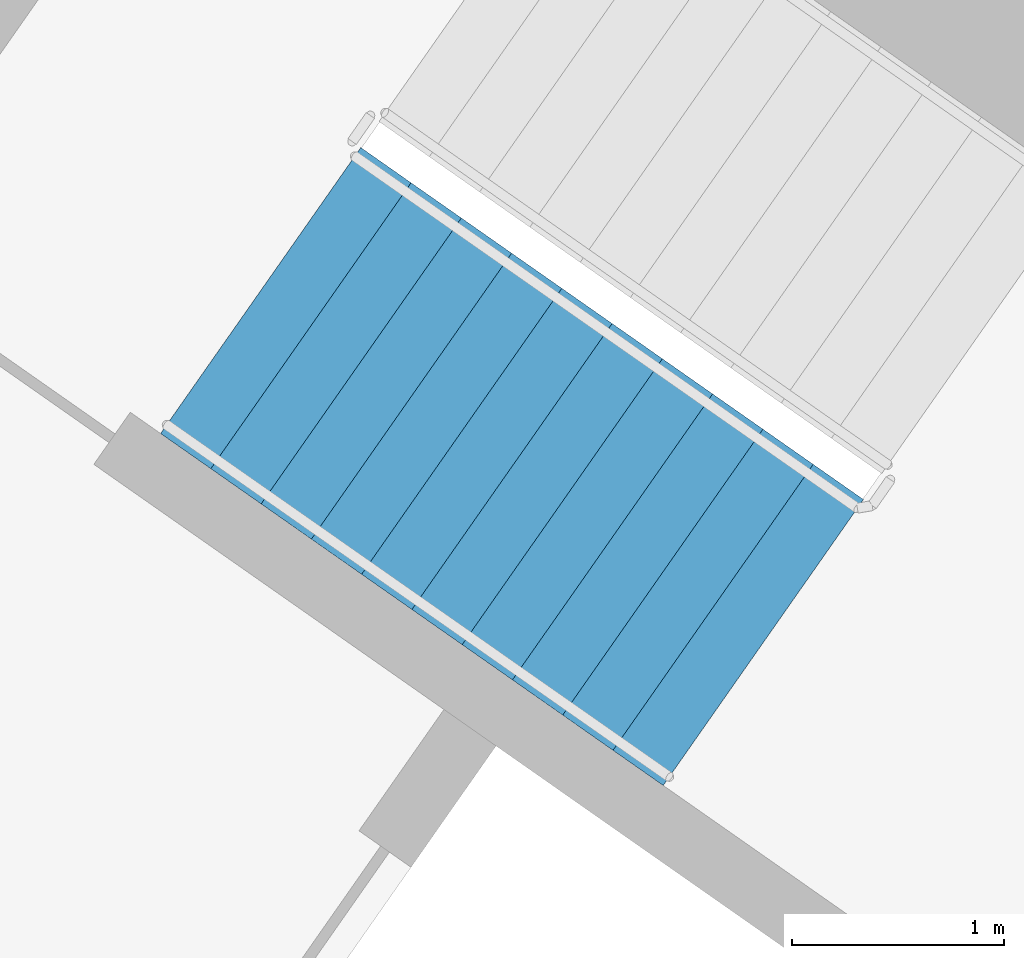
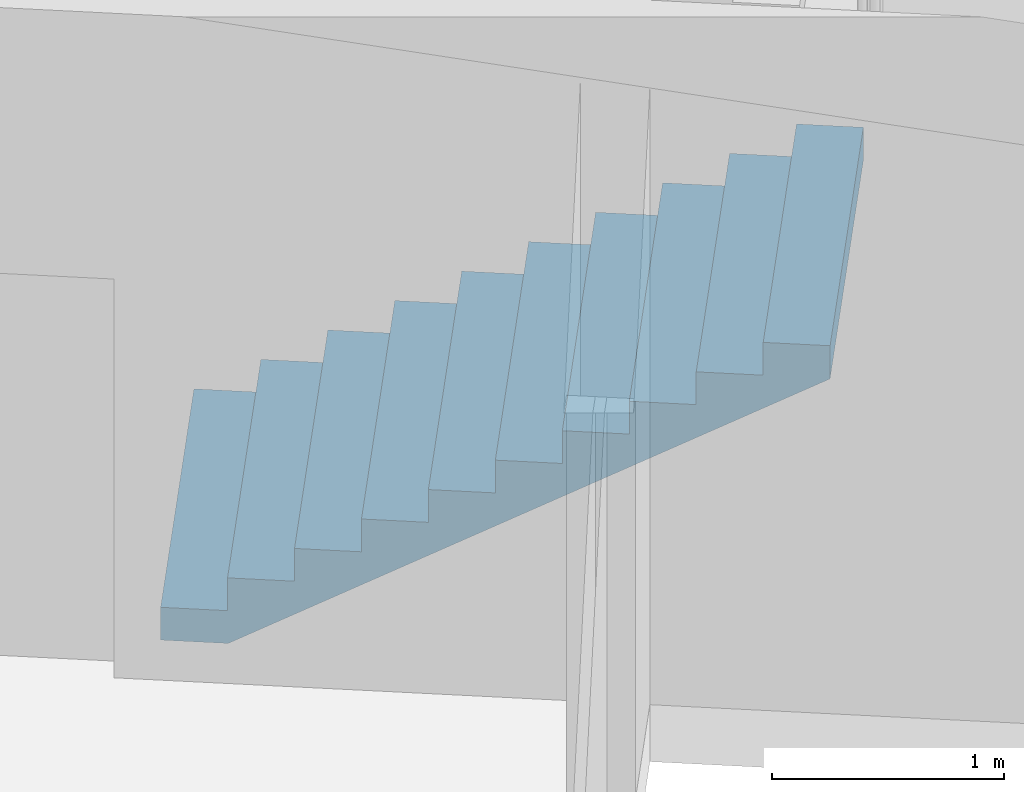
# One storey, part 12 of 31: 1 stair flight, 1 element without a shape of its own.
"""IFC4 building model written with IfcOpenShell, lengths in metres."""

from ifc_helpers import new_model, si_unit, direction, frame, origin, place, context, subcontext, project, spatial, faceted_brep, material, type_object, element, aggregate, save


model = new_model("IFC4")

# Units and contexts
model_context = context("Model", 3, precision=1e-05, world=origin(), true_north=direction((0.0, 1.0)))
body_context = subcontext(model_context, "Body", "Model", "MODEL_VIEW")
ifc_project = project(units=[si_unit("LENGTHUNIT", "METRE"), si_unit("AREAUNIT", "SQUARE_METRE"), si_unit("VOLUMEUNIT", "CUBIC_METRE"), si_unit("PLANEANGLEUNIT", "RADIAN"), si_unit("MASSUNIT", "GRAM", prefix="KILO")], contexts=[model_context])

# Site, building, storey
site_placement = place(None, origin())
site = spatial("IfcSite", under=ifc_project, at=site_placement, CompositionType="ELEMENT")
building_placement = place(site_placement, origin())
building = spatial("IfcBuilding", under=site, at=building_placement, Name="Qamariyya Broadcast Tower", CompositionType="ELEMENT")
storey_placement = place(building_placement, frame((0.0, 0.0, 82.300048828125)))
storey = spatial("IfcBuildingStorey", under=building, at=storey_placement, Name="L17", CompositionType="ELEMENT", Elevation=82.300048828125)

# Stair, stair flight
ifc_material = material(Name="Concrete C50/60", Category="concrete")
stair_type = type_object("IfcStairType", Name="Exit stair 22 risers of 173 mm", PredefinedType="HALF_TURN_STAIR", material=ifc_material)
stair_placement = place(storey_placement, origin())
stair = element("IfcStair", 1, at=stair_placement, inside=storey, type_object=stair_type, Name="L17 Stair W2", PredefinedType="HALF_TURN_STAIR")
stair_flight_type = type_object("IfcStairFlightType", Name="Exit stair flight 11 risers of 173 mm", PredefinedType="STRAIGHT", material=ifc_material)
stair_flight_placement = place(storey_placement, frame((-41.59130859375, -49.15966796875, 0.0), z_axis=(0.0, 0.0, 1.0), x_axis=(0.819152044289, -0.573576436351, 0.0)))
stair_flight = element("IfcStairFlight", 2, at=stair_flight_placement, type_object=stair_flight_type, Name="ST-W2 flight 1", NumberOfRisers=11, NumberOfTreads=10, PredefinedType="STRAIGHT", RiserHeight=0.172727273, TreadLength=0.29, context=body_context, shape_type="Brep", body=[
    faceted_brep([(0.0, 0.824951171875, 0.0), (0.0, 0.824951171875, 0.172607421875), (0.2900390625, 0.824951171875, 0.172607421875), (0.2900390625, 0.824951171875, 0.345458984375), (0.580078125, 0.824951171875, 0.345458984375), (0.580078125, 0.824951171875, 0.51806640625), (0.8701171875, 0.824951171875, 0.51806640625), (0.8701171875, 0.824951171875, 0.69091796875), (1.159912109375, 0.824951171875, 0.69091796875), (1.159912109375, 0.824951171875, 0.863525390625), (1.449951171875, 0.824951171875, 0.863525390625), (1.449951171875, 0.824951171875, 1.036376953125), (1.739990234375, 0.824951171875, 1.036376953125), (1.739990234375, 0.824951171875, 1.208984375), (2.030029296875, 0.824951171875, 1.208984375), (2.030029296875, 0.824951171875, 1.3818359375), (2.320068359375, 0.824951171875, 1.3818359375), (2.320068359375, 0.824951171875, 1.554443359375), (2.610107421875, 0.824951171875, 1.554443359375), (2.610107421875, 0.824951171875, 1.727294921875), (2.89990234375, 0.824951171875, 1.727294921875), (2.89990234375, 0.824951171875, 1.552734375), (0.29296875, 0.824951171875, 0.0), (0.29296875, -0.824951171875, 0.0), (2.89990234375, -0.824951171875, 1.552734375), (2.89990234375, -0.824951171875, 1.727294921875), (2.610107421875, -0.824951171875, 1.727294921875), (2.610107421875, -0.824951171875, 1.554443359375), (2.320068359375, -0.824951171875, 1.554443359375), (2.320068359375, -0.824951171875, 1.3818359375), (2.030029296875, -0.824951171875, 1.3818359375), (2.030029296875, -0.824951171875, 1.208984375), (1.739990234375, -0.824951171875, 1.208984375), (1.739990234375, -0.824951171875, 1.036376953125), (1.449951171875, -0.824951171875, 1.036376953125), (1.449951171875, -0.824951171875, 0.863525390625), (1.159912109375, -0.824951171875, 0.863525390625), (1.159912109375, -0.824951171875, 0.69091796875), (0.8701171875, -0.824951171875, 0.69091796875), (0.8701171875, -0.824951171875, 0.51806640625), (0.580078125, -0.824951171875, 0.51806640625), (0.580078125, -0.824951171875, 0.345458984375), (0.2900390625, -0.824951171875, 0.345458984375), (0.2900390625, -0.824951171875, 0.172607421875), (0.0, -0.824951171875, 0.172607421875), (0.0, -0.824951171875, 0.0), (0.0, 0.10009765625, 0.0), (0.0, 0.086669921875, 0.0), (0.0, 0.0732421875, 0.0), (0.0, 0.06005859375, 0.0), (0.0, 0.046630859375, 0.0), (0.0, 0.033447265625, 0.0), (0.0, 0.02001953125, 0.0), (0.0, 0.006591796875, 0.0), (0.0, -0.006591796875, 0.0), (0.0, -0.02001953125, 0.0), (0.0, -0.033447265625, 0.0), (0.0, -0.046630859375, 0.0), (0.0, -0.06005859375, 0.0), (0.0, -0.0732421875, 0.0), (0.0, -0.086669921875, 0.0), (0.0, -0.10009765625, 0.0), (0.0, -0.10009765625, 0.172607421875), (0.0, -0.086669921875, 0.172607421875), (0.0, -0.0732421875, 0.172607421875), (0.0, -0.06005859375, 0.172607421875), (0.0, -0.046630859375, 0.172607421875), (0.0, -0.033447265625, 0.172607421875), (0.0, -0.02001953125, 0.172607421875), (0.0, -0.006591796875, 0.172607421875), (0.0, 0.006591796875, 0.172607421875), (0.0, 0.02001953125, 0.172607421875), (0.0, 0.033447265625, 0.172607421875), (0.0, 0.046630859375, 0.172607421875), (0.0, 0.06005859375, 0.172607421875), (0.0, 0.0732421875, 0.172607421875), (0.0, 0.086669921875, 0.172607421875), (0.0, 0.10009765625, 0.172607421875), (0.2900390625, -0.10009765625, 0.172607421875), (0.2900390625, -0.086669921875, 0.172607421875), (0.2900390625, -0.0732421875, 0.172607421875), (0.2900390625, -0.06005859375, 0.172607421875), (0.2900390625, -0.046630859375, 0.172607421875), (0.2900390625, -0.033447265625, 0.172607421875), (0.2900390625, -0.02001953125, 0.172607421875), (0.2900390625, -0.006591796875, 0.172607421875), (0.2900390625, 0.006591796875, 0.172607421875), (0.2900390625, 0.02001953125, 0.172607421875), (0.2900390625, 0.033447265625, 0.172607421875), (0.2900390625, 0.046630859375, 0.172607421875), (0.2900390625, 0.06005859375, 0.172607421875), (0.2900390625, 0.0732421875, 0.172607421875), (0.2900390625, 0.086669921875, 0.172607421875), (0.2900390625, 0.10009765625, 0.172607421875), (0.2900390625, -0.10009765625, 0.345458984375), (0.2900390625, -0.086669921875, 0.345458984375), (0.2900390625, -0.0732421875, 0.345458984375), (0.2900390625, -0.06005859375, 0.345458984375), (0.2900390625, -0.046630859375, 0.345458984375), (0.2900390625, -0.033447265625, 0.345458984375), (0.2900390625, -0.02001953125, 0.345458984375), (0.2900390625, -0.006591796875, 0.345458984375), (0.2900390625, 0.006591796875, 0.345458984375), (0.2900390625, 0.02001953125, 0.345458984375), (0.2900390625, 0.033447265625, 0.345458984375), (0.2900390625, 0.046630859375, 0.345458984375), (0.2900390625, 0.06005859375, 0.345458984375), (0.2900390625, 0.0732421875, 0.345458984375), (0.2900390625, 0.086669921875, 0.345458984375), (0.2900390625, 0.10009765625, 0.345458984375), (0.580078125, -0.10009765625, 0.345458984375), (0.580078125, -0.086669921875, 0.345458984375), (0.580078125, -0.0732421875, 0.345458984375), (0.580078125, -0.06005859375, 0.345458984375), (0.580078125, -0.046630859375, 0.345458984375), (0.580078125, -0.033447265625, 0.345458984375), (0.580078125, -0.02001953125, 0.345458984375), (0.580078125, -0.006591796875, 0.345458984375), (0.580078125, 0.006591796875, 0.345458984375), (0.580078125, 0.02001953125, 0.345458984375), (0.580078125, 0.033447265625, 0.345458984375), (0.580078125, 0.046630859375, 0.345458984375), (0.580078125, 0.06005859375, 0.345458984375), (0.580078125, 0.0732421875, 0.345458984375), (0.580078125, 0.086669921875, 0.345458984375), (0.580078125, 0.10009765625, 0.345458984375), (0.580078125, -0.10009765625, 0.51806640625), (0.580078125, -0.086669921875, 0.51806640625), (0.580078125, -0.0732421875, 0.51806640625), (0.580078125, -0.06005859375, 0.51806640625), (0.580078125, -0.046630859375, 0.51806640625), (0.580078125, -0.033447265625, 0.51806640625), (0.580078125, -0.02001953125, 0.51806640625), (0.580078125, -0.006591796875, 0.51806640625), (0.580078125, 0.006591796875, 0.51806640625), (0.580078125, 0.02001953125, 0.51806640625), (0.580078125, 0.033447265625, 0.51806640625), (0.580078125, 0.046630859375, 0.51806640625), (0.580078125, 0.06005859375, 0.51806640625), (0.580078125, 0.0732421875, 0.51806640625), (0.580078125, 0.086669921875, 0.51806640625), (0.580078125, 0.10009765625, 0.51806640625), (0.8701171875, -0.10009765625, 0.51806640625), (0.8701171875, -0.086669921875, 0.51806640625), (0.8701171875, -0.0732421875, 0.51806640625), (0.8701171875, -0.06005859375, 0.51806640625), (0.8701171875, -0.046630859375, 0.51806640625), (0.8701171875, -0.033447265625, 0.51806640625), (0.8701171875, -0.02001953125, 0.51806640625), (0.8701171875, -0.006591796875, 0.51806640625), (0.8701171875, 0.006591796875, 0.51806640625), (0.8701171875, 0.02001953125, 0.51806640625), (0.8701171875, 0.033447265625, 0.51806640625), (0.8701171875, 0.046630859375, 0.51806640625), (0.8701171875, 0.06005859375, 0.51806640625), (0.8701171875, 0.0732421875, 0.51806640625), (0.8701171875, 0.086669921875, 0.51806640625), (0.8701171875, 0.10009765625, 0.51806640625), (0.8701171875, -0.10009765625, 0.69091796875), (0.8701171875, -0.086669921875, 0.69091796875), (0.8701171875, -0.0732421875, 0.69091796875), (0.8701171875, -0.06005859375, 0.69091796875), (0.8701171875, -0.046630859375, 0.69091796875), (0.8701171875, -0.033447265625, 0.69091796875), (0.8701171875, -0.02001953125, 0.69091796875), (0.8701171875, -0.006591796875, 0.69091796875), (0.8701171875, 0.006591796875, 0.69091796875), (0.8701171875, 0.02001953125, 0.69091796875), (0.8701171875, 0.033447265625, 0.69091796875), (0.8701171875, 0.046630859375, 0.69091796875), (0.8701171875, 0.06005859375, 0.69091796875), (0.8701171875, 0.0732421875, 0.69091796875), (0.8701171875, 0.086669921875, 0.69091796875), (0.8701171875, 0.10009765625, 0.69091796875), (1.159912109375, -0.10009765625, 0.69091796875), (1.159912109375, -0.086669921875, 0.69091796875), (1.159912109375, -0.0732421875, 0.69091796875), (1.159912109375, -0.06005859375, 0.69091796875), (1.159912109375, -0.046630859375, 0.69091796875), (1.159912109375, -0.033447265625, 0.69091796875), (1.159912109375, -0.02001953125, 0.69091796875), (1.159912109375, -0.006591796875, 0.69091796875), (1.159912109375, 0.006591796875, 0.69091796875), (1.159912109375, 0.02001953125, 0.69091796875), (1.159912109375, 0.033447265625, 0.69091796875), (1.159912109375, 0.046630859375, 0.69091796875), (1.159912109375, 0.06005859375, 0.69091796875), (1.159912109375, 0.0732421875, 0.69091796875), (1.159912109375, 0.086669921875, 0.69091796875), (1.159912109375, 0.10009765625, 0.69091796875), (1.159912109375, -0.10009765625, 0.863525390625), (1.159912109375, -0.086669921875, 0.863525390625), (1.159912109375, -0.0732421875, 0.863525390625), (1.159912109375, -0.06005859375, 0.863525390625), (1.159912109375, -0.046630859375, 0.863525390625), (1.159912109375, -0.033447265625, 0.863525390625), (1.159912109375, -0.02001953125, 0.863525390625), (1.159912109375, -0.006591796875, 0.863525390625), (1.159912109375, 0.006591796875, 0.863525390625), (1.159912109375, 0.02001953125, 0.863525390625), (1.159912109375, 0.033447265625, 0.863525390625), (1.159912109375, 0.046630859375, 0.863525390625), (1.159912109375, 0.06005859375, 0.863525390625), (1.159912109375, 0.0732421875, 0.863525390625), (1.159912109375, 0.086669921875, 0.863525390625), (1.159912109375, 0.10009765625, 0.863525390625), (1.449951171875, -0.10009765625, 0.863525390625), (1.449951171875, -0.086669921875, 0.863525390625), (1.449951171875, -0.0732421875, 0.863525390625), (1.449951171875, -0.06005859375, 0.863525390625), (1.449951171875, -0.046630859375, 0.863525390625), (1.449951171875, -0.033447265625, 0.863525390625), (1.449951171875, -0.02001953125, 0.863525390625), (1.449951171875, -0.006591796875, 0.863525390625), (1.449951171875, 0.006591796875, 0.863525390625), (1.449951171875, 0.02001953125, 0.863525390625), (1.449951171875, 0.033447265625, 0.863525390625), (1.449951171875, 0.046630859375, 0.863525390625), (1.449951171875, 0.06005859375, 0.863525390625), (1.449951171875, 0.0732421875, 0.863525390625), (1.449951171875, 0.086669921875, 0.863525390625), (1.449951171875, 0.10009765625, 0.863525390625), (1.449951171875, -0.10009765625, 1.036376953125), (1.449951171875, -0.086669921875, 1.036376953125), (1.449951171875, -0.0732421875, 1.036376953125), (1.449951171875, -0.06005859375, 1.036376953125), (1.449951171875, -0.046630859375, 1.036376953125), (1.449951171875, -0.033447265625, 1.036376953125), (1.449951171875, -0.02001953125, 1.036376953125), (1.449951171875, -0.006591796875, 1.036376953125), (1.449951171875, 0.006591796875, 1.036376953125), (1.449951171875, 0.02001953125, 1.036376953125), (1.449951171875, 0.033447265625, 1.036376953125), (1.449951171875, 0.046630859375, 1.036376953125), (1.449951171875, 0.06005859375, 1.036376953125), (1.449951171875, 0.0732421875, 1.036376953125), (1.449951171875, 0.086669921875, 1.036376953125), (1.449951171875, 0.10009765625, 1.036376953125), (1.739990234375, -0.10009765625, 1.036376953125), (1.739990234375, -0.086669921875, 1.036376953125), (1.739990234375, -0.0732421875, 1.036376953125), (1.739990234375, -0.06005859375, 1.036376953125), (1.739990234375, -0.046630859375, 1.036376953125), (1.739990234375, -0.033447265625, 1.036376953125), (1.739990234375, -0.02001953125, 1.036376953125), (1.739990234375, -0.006591796875, 1.036376953125), (1.739990234375, 0.006591796875, 1.036376953125), (1.739990234375, 0.02001953125, 1.036376953125), (1.739990234375, 0.033447265625, 1.036376953125), (1.739990234375, 0.046630859375, 1.036376953125), (1.739990234375, 0.06005859375, 1.036376953125), (1.739990234375, 0.0732421875, 1.036376953125), (1.739990234375, 0.086669921875, 1.036376953125), (1.739990234375, 0.10009765625, 1.036376953125), (1.739990234375, -0.10009765625, 1.208984375), (1.739990234375, -0.086669921875, 1.208984375), (1.739990234375, -0.0732421875, 1.208984375), (1.739990234375, -0.06005859375, 1.208984375), (1.739990234375, -0.046630859375, 1.208984375), (1.739990234375, -0.033447265625, 1.208984375), (1.739990234375, -0.02001953125, 1.208984375), (1.739990234375, -0.006591796875, 1.208984375), (1.739990234375, 0.006591796875, 1.208984375), (1.739990234375, 0.02001953125, 1.208984375), (1.739990234375, 0.033447265625, 1.208984375), (1.739990234375, 0.046630859375, 1.208984375), (1.739990234375, 0.06005859375, 1.208984375), (1.739990234375, 0.0732421875, 1.208984375), (1.739990234375, 0.086669921875, 1.208984375), (1.739990234375, 0.10009765625, 1.208984375), (2.030029296875, -0.10009765625, 1.208984375), (2.030029296875, -0.086669921875, 1.208984375), (2.030029296875, -0.0732421875, 1.208984375), (2.030029296875, -0.06005859375, 1.208984375), (2.030029296875, -0.046630859375, 1.208984375), (2.030029296875, -0.033447265625, 1.208984375), (2.030029296875, -0.02001953125, 1.208984375), (2.030029296875, -0.006591796875, 1.208984375), (2.030029296875, 0.006591796875, 1.208984375), (2.030029296875, 0.02001953125, 1.208984375), (2.030029296875, 0.033447265625, 1.208984375), (2.030029296875, 0.046630859375, 1.208984375), (2.030029296875, 0.06005859375, 1.208984375), (2.030029296875, 0.0732421875, 1.208984375), (2.030029296875, 0.086669921875, 1.208984375), (2.030029296875, 0.10009765625, 1.208984375), (2.030029296875, -0.10009765625, 1.3818359375), (2.030029296875, -0.086669921875, 1.3818359375), (2.030029296875, -0.0732421875, 1.3818359375), (2.030029296875, -0.06005859375, 1.3818359375), (2.030029296875, -0.046630859375, 1.3818359375), (2.030029296875, -0.033447265625, 1.3818359375), (2.030029296875, -0.02001953125, 1.3818359375), (2.030029296875, -0.006591796875, 1.3818359375), (2.030029296875, 0.006591796875, 1.3818359375), (2.030029296875, 0.02001953125, 1.3818359375), (2.030029296875, 0.033447265625, 1.3818359375), (2.030029296875, 0.046630859375, 1.3818359375), (2.030029296875, 0.06005859375, 1.3818359375), (2.030029296875, 0.0732421875, 1.3818359375), (2.030029296875, 0.086669921875, 1.3818359375), (2.030029296875, 0.10009765625, 1.3818359375), (2.320068359375, -0.10009765625, 1.3818359375), (2.320068359375, -0.086669921875, 1.3818359375), (2.320068359375, -0.0732421875, 1.3818359375), (2.320068359375, -0.06005859375, 1.3818359375), (2.320068359375, -0.046630859375, 1.3818359375), (2.320068359375, -0.033447265625, 1.3818359375), (2.320068359375, -0.02001953125, 1.3818359375), (2.320068359375, -0.006591796875, 1.3818359375), (2.320068359375, 0.006591796875, 1.3818359375), (2.320068359375, 0.02001953125, 1.3818359375), (2.320068359375, 0.033447265625, 1.3818359375), (2.320068359375, 0.046630859375, 1.3818359375), (2.320068359375, 0.06005859375, 1.3818359375), (2.320068359375, 0.0732421875, 1.3818359375), (2.320068359375, 0.086669921875, 1.3818359375), (2.320068359375, 0.10009765625, 1.3818359375), (2.320068359375, -0.10009765625, 1.554443359375), (2.320068359375, -0.086669921875, 1.554443359375), (2.320068359375, -0.0732421875, 1.554443359375), (2.320068359375, -0.06005859375, 1.554443359375), (2.320068359375, -0.046630859375, 1.554443359375), (2.320068359375, -0.033447265625, 1.554443359375), (2.320068359375, -0.02001953125, 1.554443359375), (2.320068359375, -0.006591796875, 1.554443359375), (2.320068359375, 0.006591796875, 1.554443359375), (2.320068359375, 0.02001953125, 1.554443359375), (2.320068359375, 0.033447265625, 1.554443359375), (2.320068359375, 0.046630859375, 1.554443359375), (2.320068359375, 0.06005859375, 1.554443359375), (2.320068359375, 0.0732421875, 1.554443359375), (2.320068359375, 0.086669921875, 1.554443359375), (2.320068359375, 0.10009765625, 1.554443359375), (2.610107421875, -0.10009765625, 1.554443359375), (2.610107421875, -0.086669921875, 1.554443359375), (2.610107421875, -0.0732421875, 1.554443359375), (2.610107421875, -0.06005859375, 1.554443359375), (2.610107421875, -0.046630859375, 1.554443359375), (2.610107421875, -0.033447265625, 1.554443359375), (2.610107421875, -0.02001953125, 1.554443359375), (2.610107421875, -0.006591796875, 1.554443359375), (2.610107421875, 0.006591796875, 1.554443359375), (2.610107421875, 0.02001953125, 1.554443359375), (2.610107421875, 0.033447265625, 1.554443359375), (2.610107421875, 0.046630859375, 1.554443359375), (2.610107421875, 0.06005859375, 1.554443359375), (2.610107421875, 0.0732421875, 1.554443359375), (2.610107421875, 0.086669921875, 1.554443359375), (2.610107421875, 0.10009765625, 1.554443359375), (2.610107421875, -0.10009765625, 1.727294921875), (2.610107421875, -0.086669921875, 1.727294921875), (2.610107421875, -0.0732421875, 1.727294921875), (2.610107421875, -0.06005859375, 1.727294921875), (2.610107421875, -0.046630859375, 1.727294921875), (2.610107421875, -0.033447265625, 1.727294921875), (2.610107421875, -0.02001953125, 1.727294921875), (2.610107421875, -0.006591796875, 1.727294921875), (2.610107421875, 0.006591796875, 1.727294921875), (2.610107421875, 0.02001953125, 1.727294921875), (2.610107421875, 0.033447265625, 1.727294921875), (2.610107421875, 0.046630859375, 1.727294921875), (2.610107421875, 0.06005859375, 1.727294921875), (2.610107421875, 0.0732421875, 1.727294921875), (2.610107421875, 0.086669921875, 1.727294921875), (2.610107421875, 0.10009765625, 1.727294921875), (2.89990234375, -0.10009765625, 1.727294921875), (2.89990234375, -0.086669921875, 1.727294921875), (2.89990234375, -0.0732421875, 1.727294921875), (2.89990234375, -0.06005859375, 1.727294921875), (2.89990234375, -0.046630859375, 1.727294921875), (2.89990234375, -0.033447265625, 1.727294921875), (2.89990234375, -0.02001953125, 1.727294921875), (2.89990234375, -0.006591796875, 1.727294921875), (2.89990234375, 0.006591796875, 1.727294921875), (2.89990234375, 0.02001953125, 1.727294921875), (2.89990234375, 0.033447265625, 1.727294921875), (2.89990234375, 0.046630859375, 1.727294921875), (2.89990234375, 0.06005859375, 1.727294921875), (2.89990234375, 0.0732421875, 1.727294921875), (2.89990234375, 0.086669921875, 1.727294921875), (2.89990234375, 0.10009765625, 1.727294921875), (2.89990234375, -0.10009765625, 1.552734375), (2.89990234375, -0.086669921875, 1.552734375), (2.89990234375, -0.0732421875, 1.552734375), (2.89990234375, -0.06005859375, 1.552734375), (2.89990234375, -0.046630859375, 1.552734375), (2.89990234375, -0.033447265625, 1.552734375), (2.89990234375, -0.02001953125, 1.552734375), (2.89990234375, -0.006591796875, 1.552734375), (2.89990234375, 0.006591796875, 1.552734375), (2.89990234375, 0.02001953125, 1.552734375), (2.89990234375, 0.033447265625, 1.552734375), (2.89990234375, 0.046630859375, 1.552734375), (2.89990234375, 0.06005859375, 1.552734375), (2.89990234375, 0.0732421875, 1.552734375), (2.89990234375, 0.086669921875, 1.552734375), (2.89990234375, 0.10009765625, 1.552734375), (0.29296875, -0.10009765625, 0.0), (0.29296875, -0.086669921875, 0.0), (0.29296875, -0.0732421875, 0.0), (0.29296875, -0.06005859375, 0.0), (0.29296875, -0.046630859375, 0.0), (0.29296875, -0.033447265625, 0.0), (0.29296875, -0.02001953125, 0.0), (0.29296875, -0.006591796875, 0.0), (0.29296875, 0.006591796875, 0.0), (0.29296875, 0.02001953125, 0.0), (0.29296875, 0.033447265625, 0.0), (0.29296875, 0.046630859375, 0.0), (0.29296875, 0.06005859375, 0.0), (0.29296875, 0.0732421875, 0.0), (0.29296875, 0.086669921875, 0.0), (0.29296875, 0.10009765625, 0.0)], [[[0, 1, 2, 3, 4, 5, 6, 7, 8, 9, 10, 11, 12, 13, 14, 15, 16, 17, 18, 19, 20, 21, 22]], [[23, 24, 25, 26, 27, 28, 29, 30, 31, 32, 33, 34, 35, 36, 37, 38, 39, 40, 41, 42, 43, 44, 45]], [[0, 46, 47, 48, 49, 50, 51, 52, 53, 54, 55, 56, 57, 58, 59, 60, 61, 45, 44, 62, 63, 64, 65, 66, 67, 68, 69, 70, 71, 72, 73, 74, 75, 76, 77, 1]], [[1, 77, 76, 75, 74, 73, 72, 71, 70, 69, 68, 67, 66, 65, 64, 63, 62, 44, 43, 78, 79, 80, 81, 82, 83, 84, 85, 86, 87, 88, 89, 90, 91, 92, 93, 2]], [[2, 93, 92, 91, 90, 89, 88, 87, 86, 85, 84, 83, 82, 81, 80, 79, 78, 43, 42, 94, 95, 96, 97, 98, 99, 100, 101, 102, 103, 104, 105, 106, 107, 108, 109, 3]], [[3, 109, 108, 107, 106, 105, 104, 103, 102, 101, 100, 99, 98, 97, 96, 95, 94, 42, 41, 110, 111, 112, 113, 114, 115, 116, 117, 118, 119, 120, 121, 122, 123, 124, 125, 4]], [[4, 125, 124, 123, 122, 121, 120, 119, 118, 117, 116, 115, 114, 113, 112, 111, 110, 41, 40, 126, 127, 128, 129, 130, 131, 132, 133, 134, 135, 136, 137, 138, 139, 140, 141, 5]], [[5, 141, 140, 139, 138, 137, 136, 135, 134, 133, 132, 131, 130, 129, 128, 127, 126, 40, 39, 142, 143, 144, 145, 146, 147, 148, 149, 150, 151, 152, 153, 154, 155, 156, 157, 6]], [[6, 157, 156, 155, 154, 153, 152, 151, 150, 149, 148, 147, 146, 145, 144, 143, 142, 39, 38, 158, 159, 160, 161, 162, 163, 164, 165, 166, 167, 168, 169, 170, 171, 172, 173, 7]], [[7, 173, 172, 171, 170, 169, 168, 167, 166, 165, 164, 163, 162, 161, 160, 159, 158, 38, 37, 174, 175, 176, 177, 178, 179, 180, 181, 182, 183, 184, 185, 186, 187, 188, 189, 8]], [[8, 189, 188, 187, 186, 185, 184, 183, 182, 181, 180, 179, 178, 177, 176, 175, 174, 37, 36, 190, 191, 192, 193, 194, 195, 196, 197, 198, 199, 200, 201, 202, 203, 204, 205, 9]], [[9, 205, 204, 203, 202, 201, 200, 199, 198, 197, 196, 195, 194, 193, 192, 191, 190, 36, 35, 206, 207, 208, 209, 210, 211, 212, 213, 214, 215, 216, 217, 218, 219, 220, 221, 10]], [[10, 221, 220, 219, 218, 217, 216, 215, 214, 213, 212, 211, 210, 209, 208, 207, 206, 35, 34, 222, 223, 224, 225, 226, 227, 228, 229, 230, 231, 232, 233, 234, 235, 236, 237, 11]], [[11, 237, 236, 235, 234, 233, 232, 231, 230, 229, 228, 227, 226, 225, 224, 223, 222, 34, 33, 238, 239, 240, 241, 242, 243, 244, 245, 246, 247, 248, 249, 250, 251, 252, 253, 12]], [[12, 253, 252, 251, 250, 249, 248, 247, 246, 245, 244, 243, 242, 241, 240, 239, 238, 33, 32, 254, 255, 256, 257, 258, 259, 260, 261, 262, 263, 264, 265, 266, 267, 268, 269, 13]], [[13, 269, 268, 267, 266, 265, 264, 263, 262, 261, 260, 259, 258, 257, 256, 255, 254, 32, 31, 270, 271, 272, 273, 274, 275, 276, 277, 278, 279, 280, 281, 282, 283, 284, 285, 14]], [[14, 285, 284, 283, 282, 281, 280, 279, 278, 277, 276, 275, 274, 273, 272, 271, 270, 31, 30, 286, 287, 288, 289, 290, 291, 292, 293, 294, 295, 296, 297, 298, 299, 300, 301, 15]], [[15, 301, 300, 299, 298, 297, 296, 295, 294, 293, 292, 291, 290, 289, 288, 287, 286, 30, 29, 302, 303, 304, 305, 306, 307, 308, 309, 310, 311, 312, 313, 314, 315, 316, 317, 16]], [[16, 317, 316, 315, 314, 313, 312, 311, 310, 309, 308, 307, 306, 305, 304, 303, 302, 29, 28, 318, 319, 320, 321, 322, 323, 324, 325, 326, 327, 328, 329, 330, 331, 332, 333, 17]], [[17, 333, 332, 331, 330, 329, 328, 327, 326, 325, 324, 323, 322, 321, 320, 319, 318, 28, 27, 334, 335, 336, 337, 338, 339, 340, 341, 342, 343, 344, 345, 346, 347, 348, 349, 18]], [[18, 349, 348, 347, 346, 345, 344, 343, 342, 341, 340, 339, 338, 337, 336, 335, 334, 27, 26, 350, 351, 352, 353, 354, 355, 356, 357, 358, 359, 360, 361, 362, 363, 364, 365, 19]], [[19, 365, 364, 363, 362, 361, 360, 359, 358, 357, 356, 355, 354, 353, 352, 351, 350, 26, 25, 366, 367, 368, 369, 370, 371, 372, 373, 374, 375, 376, 377, 378, 379, 380, 381, 20]], [[20, 381, 380, 379, 378, 377, 376, 375, 374, 373, 372, 371, 370, 369, 368, 367, 366, 25, 24, 382, 383, 384, 385, 386, 387, 388, 389, 390, 391, 392, 393, 394, 395, 396, 397, 21]], [[21, 397, 396, 395, 394, 393, 392, 391, 390, 389, 388, 387, 386, 385, 384, 383, 382, 24, 23, 398, 399, 400, 401, 402, 403, 404, 405, 406, 407, 408, 409, 410, 411, 412, 413, 22]], [[22, 413, 412, 411, 410, 409, 408, 407, 406, 405, 404, 403, 402, 401, 400, 399, 398, 23, 45, 61, 60, 59, 58, 57, 56, 55, 54, 53, 52, 51, 50, 49, 48, 47, 46, 0]]]),
])
aggregate(stair, [stair_flight])

save(model, "model.ifc")
